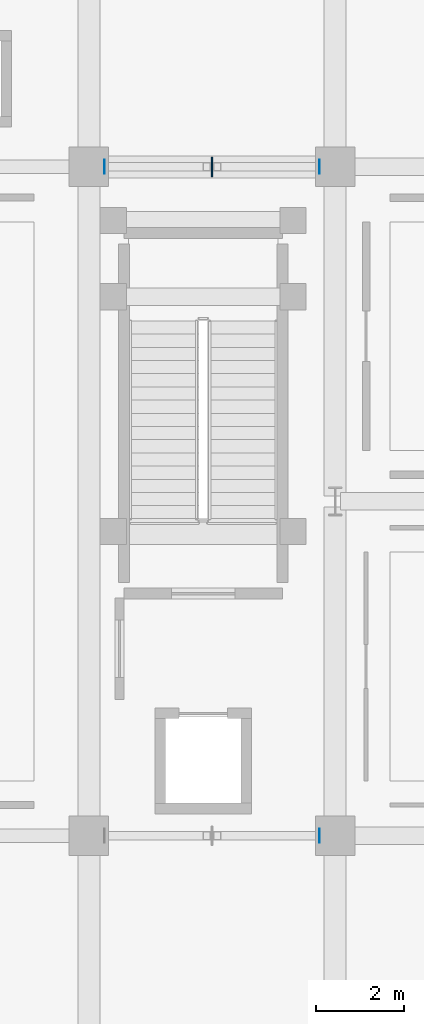
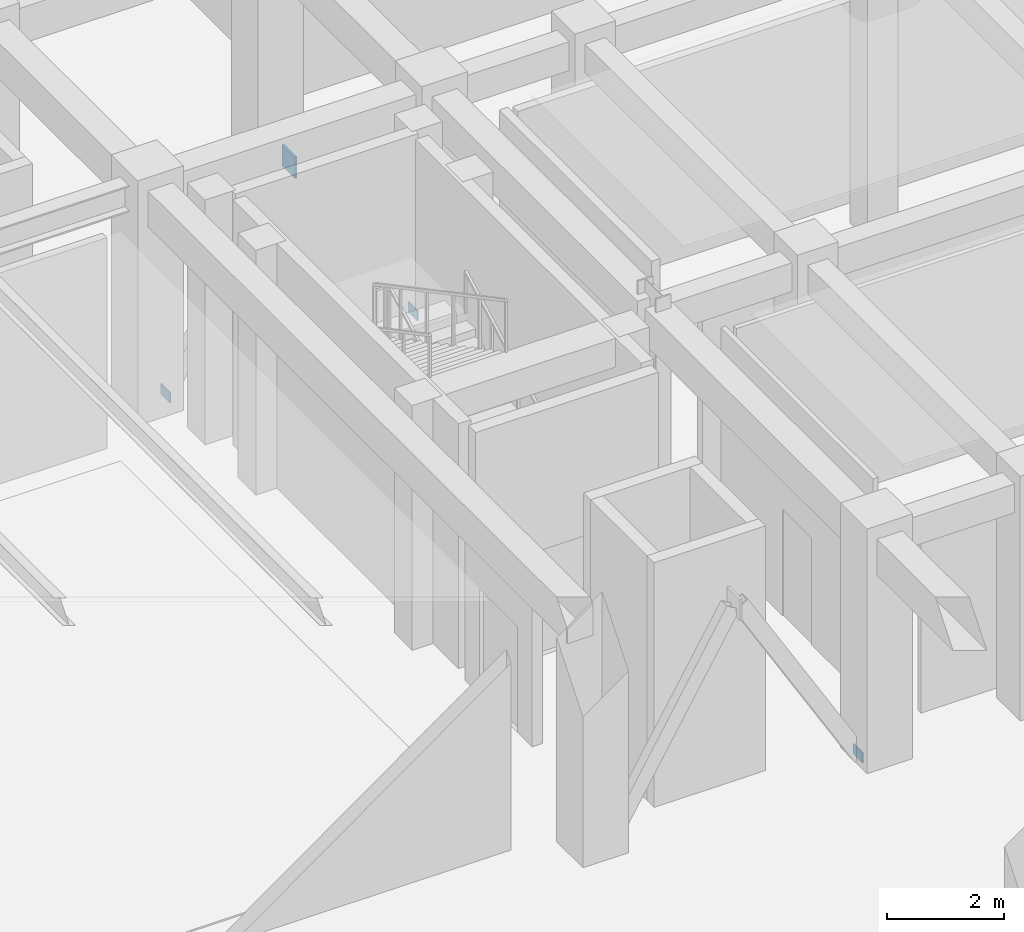
# One storey, part 64 of 99: 4 plates.
"""IFC4 building model written with IfcOpenShell, lengths in metres."""

from ifc_helpers import new_model, si_unit, direction, frame, origin, origin_2d, place, context, subcontext, project, spatial, rectangle, extrude, material, layer, layer_set, type_object, element, save


model = new_model("IFC4")

# Units and contexts
model_context = context("Model", 3, precision=1e-05, world=origin(), true_north=direction((0.0, 1.0)))
body_context = subcontext(model_context, "Body", "Model", "MODEL_VIEW")
ifc_project = project(units=[si_unit("LENGTHUNIT", "METRE"), si_unit("AREAUNIT", "SQUARE_METRE"), si_unit("VOLUMEUNIT", "CUBIC_METRE"), si_unit("PLANEANGLEUNIT", "RADIAN"), si_unit("MASSUNIT", "GRAM", prefix="KILO")], contexts=[model_context])

# Site, building, storey
site_placement = place(None, origin())
site = spatial("IfcSite", under=ifc_project, at=site_placement, CompositionType="ELEMENT")
building_placement = place(site_placement, origin())
building = spatial("IfcBuilding", under=site, at=building_placement, Name="Saryqyr Civic Hall", CompositionType="ELEMENT")
storey_placement = place(building_placement, origin())
storey = spatial("IfcBuildingStorey", under=building, at=storey_placement, Name="L00", CompositionType="ELEMENT", Elevation=0.0)

# Plates
ifc_material = material(Name="Steel S355", Category="steel")
ifc_layer_1 = layer(ifc_material, 0.01611328125, Name="Steel S355")
ifc_layer_set_1 = layer_set([ifc_layer_1], Name="Steel S355")
plate_type_1 = type_object("IfcPlateType", Name="STR-PLT-CAP16", PredefinedType="USERDEFINED", material=ifc_layer_set_1)
for number, where, z_axis, x_axis, name in (
    (1, (69.840087890625, 76.39990234375, 0.01025390625), (0.0, 0.0, 1.0), (1.0, 0.0, 0.0), "Hollow section end cap V1-BRCAP-2B0-L00"),
    (2, (64.9599609375, 91.60009765625, 0.01025390625), (0.0, 0.0, 1.0), (1.0, 0.0, 0.0), "Hollow section end cap V1-BRCAP-4A0-L00"),
    (3, (69.840087890625, 91.60009765625, 0.01025390625), (0.0, 0.0, 1.0), (1.0, 0.0, 0.0), "Hollow section end cap V1-BRCAP-4B0-L00"),
):
    element("IfcPlate", number, at=place(storey_placement, frame(where, z_axis=z_axis, x_axis=x_axis)), inside=storey, type_object=plate_type_1, Name=name, ObjectType="FLANGE_PLATE", PredefinedType="USERDEFINED", context=body_context, shape_type="SweptSolid", body=[
        extrude(rectangle(XDim=0.01611328125, YDim=0.320068359375, at=origin_2d()), origin(), (0.0, 0.0, 1.0), 0.219970703125),
    ])
ifc_layer_2 = layer(ifc_material, 0.0400390625, Name="Steel S355")
ifc_layer_set_2 = layer_set([ifc_layer_2], Name="Steel S355")
plate_type_2 = type_object("IfcPlateType", Name="STR-PLT-GUS40", PredefinedType="USERDEFINED", material=ifc_layer_set_2)
plate_placement = place(storey_placement, frame((67.39990234375, 91.60009765625, 3.880126953125), z_axis=(0.0, 0.0, 1.0), x_axis=(1.0, 0.0, 0.0)))
element("IfcPlate", 4, at=plate_placement, inside=storey, type_object=plate_type_2, Name="Hollow section end cap V1-BRGUS-4-L00", ObjectType="FLANGE_PLATE", PredefinedType="USERDEFINED", context=body_context, shape_type="SweptSolid", body=[
    extrude(rectangle(XDim=0.0400390625, YDim=0.43994140625, at=origin_2d()), origin(), (0.0, 0.0, 1.0), 0.43994140625),
])

save(model, "model.ifc")
